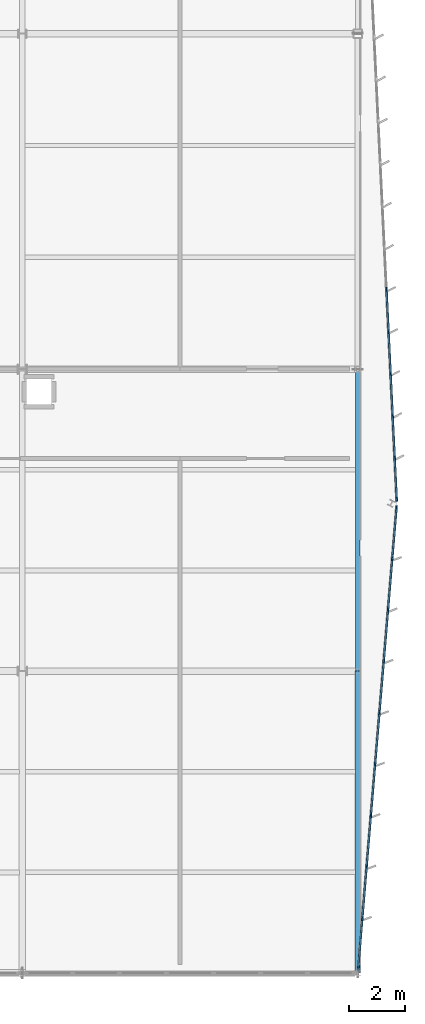
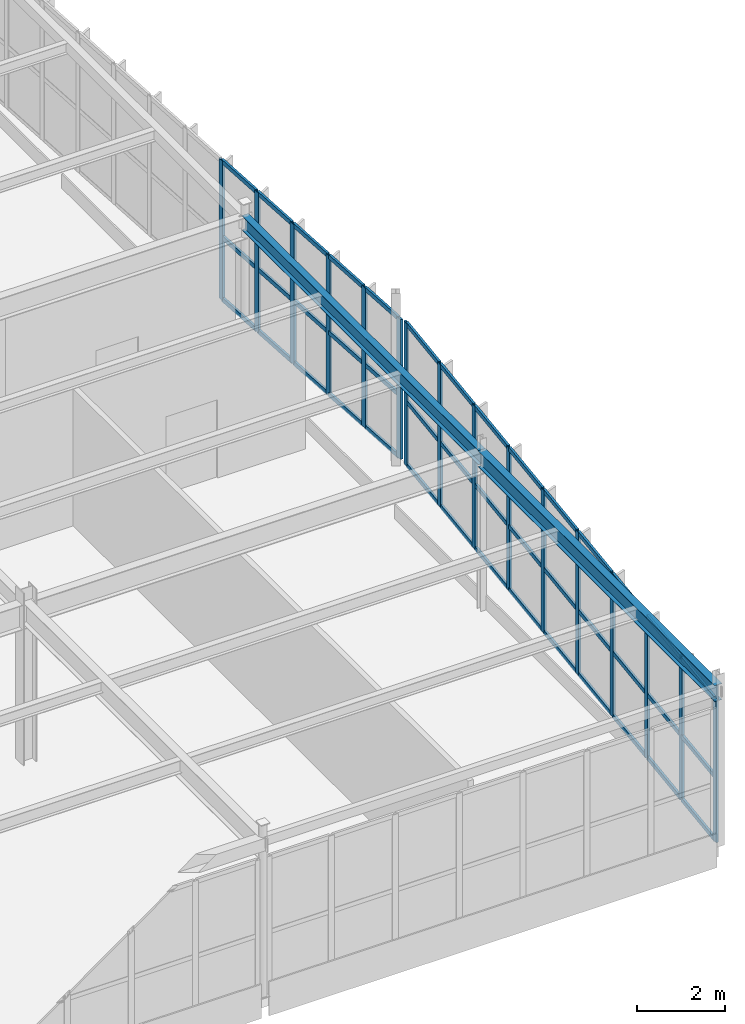
# One storey, part 118 of 226: 58 members, 2 beams, 2 elements without a shape of their own.
"""IFC4 building model written with IfcOpenShell, lengths in metres."""

from ifc_helpers import new_model, si_unit, direction, frame, origin, origin_2d, place, context, subcontext, project, spatial, rectangle, i_section, extrude, material, layer, layer_set, material_profile, profile_set, type_object, element, aggregate, save


model = new_model("IFC4")

# Units and contexts
model_context = context("Model", 3, precision=1e-05, world=origin(), true_north=direction((0.0, 1.0)))
body_context = subcontext(model_context, "Body", "Model", "MODEL_VIEW")
ifc_project = project(units=[si_unit("LENGTHUNIT", "METRE"), si_unit("AREAUNIT", "SQUARE_METRE"), si_unit("VOLUMEUNIT", "CUBIC_METRE"), si_unit("PLANEANGLEUNIT", "RADIAN"), si_unit("MASSUNIT", "GRAM", prefix="KILO")], contexts=[model_context])

# Site, building, storey
site_placement = place(None, origin())
site = spatial("IfcSite", under=ifc_project, at=site_placement, CompositionType="ELEMENT")
building_placement = place(site_placement, origin())
building = spatial("IfcBuilding", under=site, at=building_placement, Name="Tarnwether General Hospital", CompositionType="ELEMENT")
storey_placement = place(building_placement, frame((0.0, 0.0, 4.800048828125)))
storey = spatial("IfcBuildingStorey", under=building, at=storey_placement, Name="L01", CompositionType="ELEMENT", Elevation=4.800048828125)

# Beams
ifc_material_1 = material(Name="Steel Grade 350 (350 MPa)", Category="steel")
ifc_material_profile_1 = material_profile(ifc_material_1, i_section(OverallWidth=0.18994140625, OverallDepth=0.4541015625, WebThickness=0.008544921875, FlangeThickness=0.0126953125, at=origin_2d()), Name="460UB67.1")
ifc_profile_set_1 = profile_set([ifc_material_profile_1], Name="Steel Grade 350 (350 MPa)")
beam_type_1 = type_object("IfcBeamType", Name="BM-SP1", PredefinedType="SPANDREL", material=ifc_profile_set_1)
beam_1_placement = place(storey_placement, frame((192.0, 0.0, 4.218017578125), z_axis=(0.0, 1.0, 0.0), x_axis=(-1.0, 0.0, 0.0)))
element("IfcBeam", 1, at=beam_1_placement, inside=storey, type_object=beam_type_1, Name="Primary Girder BMG-L01-19200_0-19200_1080-1283", PredefinedType="SPANDREL", context=body_context, shape_type="SweptSolid", body=[
    extrude(i_section(OverallWidth=0.18994140625, OverallDepth=0.4541015625, WebThickness=0.008544921875, FlangeThickness=0.0126953125, at=origin_2d()), origin(), (0.0, 0.0, 1.0), 10.800048828125),
])
ifc_material_2 = material(Name="Steel Grade 350 (350 MPa)", Category="steel")
ifc_material_profile_2 = material_profile(ifc_material_2, i_section(OverallWidth=0.177978515625, OverallDepth=0.403076171875, WebThickness=0.007568359375, FlangeThickness=0.010986328125, at=origin_2d()), Name="410UB53.7")
ifc_profile_set_2 = profile_set([ifc_material_profile_2], Name="Steel Grade 350 (350 MPa)")
beam_type_2 = type_object("IfcBeamType", Name="BM-SP2", PredefinedType="SPANDREL", material=ifc_profile_set_2)
beam_2_placement = place(storey_placement, frame((192.0, 10.800048828125, 4.243408203125), z_axis=(0.0, 1.0, 0.0), x_axis=(-1.0, 0.0, 0.0)))
element("IfcBeam", 2, at=beam_2_placement, inside=storey, type_object=beam_type_2, Name="Primary Girder BMG-L01-19200_1080-19200_2160-1284", PredefinedType="SPANDREL", context=body_context, shape_type="SweptSolid", body=[
    extrude(i_section(OverallWidth=0.177978515625, OverallDepth=0.403076171875, WebThickness=0.007568359375, FlangeThickness=0.010986328125, at=origin_2d()), origin(), (0.0, 0.0, 1.0), 10.800048828125),
])

# Curtain wall, members
ifc_material_3 = material(Name="Anodised aluminium", Category="aluminium")
ifc_layer_1 = layer(ifc_material_3, 0.159912109375)
ifc_layer_set_1 = layer_set([ifc_layer_1], Name="Anodised aluminium")
curtain_wall_type_1 = type_object("IfcCurtainWallType", Name="CW-18", PredefinedType="NOTDEFINED", material=ifc_layer_set_1)
curtain_wall_1_placement = place(storey_placement, origin())
curtain_wall_1 = element("IfcCurtainWall", 3, at=curtain_wall_1_placement, inside=storey, type_object=curtain_wall_type_1, Name="Curtain Wall CWG-L01-1920_455-0387", PredefinedType="NOTDEFINED")
ifc_material_4 = material(Name="Anodised aluminium", Category="aluminium")
ifc_material_profile_3 = material_profile(ifc_material_4, rectangle(XDim=0.06005859375, YDim=0.159912109375, at=origin_2d()), Name="ALU-MUL-60x160")
ifc_profile_set_3 = profile_set([ifc_material_profile_3], Name="Anodised aluminium")
member_type_1 = type_object("IfcMemberType", Name="CW-ML1", PredefinedType="MULLION", material=ifc_profile_set_3)
member_1_placement = place(storey_placement, frame((193.0283203125, 24.4462890625, 0.0), z_axis=(0.0, 0.0, 1.0), x_axis=(0.998819804774, 0.04856951298, 0.0)))
member_1 = element("IfcMember", 4, at=member_1_placement, type_object=member_type_1, Name="CW-18 mullion 15", PredefinedType="MULLION", context=body_context, shape_type="SweptSolid", body=[
    extrude(rectangle(XDim=0.06005859375, YDim=0.159912109375, at=origin_2d()), origin(), (0.0, 0.0, 1.0), 3.89697265625),
])
member_2_placement = place(storey_placement, frame((193.101318359375, 22.94189453125, 0.0), z_axis=(0.0, 0.0, 1.0), x_axis=(0.998819804774, 0.04856951298, 0.0)))
member_2 = element("IfcMember", 5, at=member_2_placement, type_object=member_type_1, Name="CW-18 mullion 16", PredefinedType="MULLION", context=body_context, shape_type="SweptSolid", body=[
    extrude(rectangle(XDim=0.06005859375, YDim=0.159912109375, at=origin_2d()), origin(), (0.0, 0.0, 1.0), 3.89697265625),
])
member_3_placement = place(storey_placement, frame((193.174560546875, 21.4375, 0.0), z_axis=(0.0, 0.0, 1.0), x_axis=(0.998819804774, 0.04856951298, 0.0)))
member_3 = element("IfcMember", 6, at=member_3_placement, type_object=member_type_1, Name="CW-18 mullion 17", PredefinedType="MULLION", context=body_context, shape_type="SweptSolid", body=[
    extrude(rectangle(XDim=0.06005859375, YDim=0.159912109375, at=origin_2d()), origin(), (0.0, 0.0, 1.0), 3.89697265625),
])
member_4_placement = place(storey_placement, frame((193.247802734375, 19.932861328125, 0.0), z_axis=(0.0, 0.0, 1.0), x_axis=(0.998819804774, 0.04856951298, 0.0)))
member_4 = element("IfcMember", 7, at=member_4_placement, type_object=member_type_1, Name="CW-18 mullion 18", PredefinedType="MULLION", context=body_context, shape_type="SweptSolid", body=[
    extrude(rectangle(XDim=0.06005859375, YDim=0.159912109375, at=origin_2d()), origin(), (0.0, 0.0, 1.0), 3.89697265625),
])
member_5_placement = place(storey_placement, frame((193.32080078125, 18.428466796875, 0.0), z_axis=(0.0, 0.0, 1.0), x_axis=(0.998819804774, 0.04856951298, 0.0)))
member_5 = element("IfcMember", 8, at=member_5_placement, type_object=member_type_1, Name="CW-18 mullion 19", PredefinedType="MULLION", context=body_context, shape_type="SweptSolid", body=[
    extrude(rectangle(XDim=0.06005859375, YDim=0.159912109375, at=origin_2d()), origin(), (0.0, 0.0, 1.0), 3.89697265625),
])
member_6_placement = place(storey_placement, frame((193.392578125, 16.953857421875, 0.0), z_axis=(0.0, 0.0, 1.0), x_axis=(0.998819804774, 0.04856951298, 0.0)))
member_6 = element("IfcMember", 9, at=member_6_placement, type_object=member_type_1, Name="CW-18 mullion 20", PredefinedType="MULLION", context=body_context, shape_type="SweptSolid", body=[
    extrude(rectangle(XDim=0.06005859375, YDim=0.159912109375, at=origin_2d()), origin(), (0.0, 0.0, 1.0), 3.89697265625),
])

ifc_material_5 = material(Name="Anodised aluminium", Category="aluminium")
ifc_layer_2 = layer(ifc_material_5, 0.159912109375)
ifc_layer_set_2 = layer_set([ifc_layer_2], Name="Anodised aluminium")
curtain_wall_type_2 = type_object("IfcCurtainWallType", Name="CW-19", PredefinedType="NOTDEFINED", material=ifc_layer_set_2)
curtain_wall_2_placement = place(storey_placement, origin())
curtain_wall_2 = element("IfcCurtainWall", 10, at=curtain_wall_2_placement, inside=storey, type_object=curtain_wall_type_2, Name="Curtain Wall CWG-L01-1934_167-0388", PredefinedType="NOTDEFINED")
member_7_placement = place(storey_placement, frame((193.386474609375, 16.635986328125, 0.0), z_axis=(0.0, 0.0, 1.0), x_axis=(0.996546173528, -0.083040496309, 0.0)))
member_7 = element("IfcMember", 11, at=member_7_placement, type_object=member_type_1, Name="CW-19 mullion 1", PredefinedType="MULLION", context=body_context, shape_type="SweptSolid", body=[
    extrude(rectangle(XDim=0.06005859375, YDim=0.159912109375, at=origin_2d()), origin(), (0.0, 0.0, 1.0), 3.975830078125),
])
member_8_placement = place(storey_placement, frame((193.23583984375, 14.8271484375, 0.0), z_axis=(0.0, 0.0, 1.0), x_axis=(0.996546173528, -0.083040496309, 0.0)))
member_8 = element("IfcMember", 12, at=member_8_placement, type_object=member_type_1, Name="CW-19 mullion 2", PredefinedType="MULLION", context=body_context, shape_type="SweptSolid", body=[
    extrude(rectangle(XDim=0.06005859375, YDim=0.159912109375, at=origin_2d()), origin(), (0.0, 0.0, 1.0), 3.975830078125),
])
member_9_placement = place(storey_placement, frame((193.08251953125, 12.988525390625, 0.0), z_axis=(0.0, 0.0, 1.0), x_axis=(0.996546173528, -0.083040496309, 0.0)))
member_9 = element("IfcMember", 13, at=member_9_placement, type_object=member_type_1, Name="CW-19 mullion 3", PredefinedType="MULLION", context=body_context, shape_type="SweptSolid", body=[
    extrude(rectangle(XDim=0.06005859375, YDim=0.159912109375, at=origin_2d()), origin(), (0.0, 0.0, 1.0), 3.975830078125),
])
member_10_placement = place(storey_placement, frame((192.929443359375, 11.149658203125, 0.0), z_axis=(0.0, 0.0, 1.0), x_axis=(0.996546173528, -0.083040496309, 0.0)))
member_10 = element("IfcMember", 14, at=member_10_placement, type_object=member_type_1, Name="CW-19 mullion 4", PredefinedType="MULLION", context=body_context, shape_type="SweptSolid", body=[
    extrude(rectangle(XDim=0.06005859375, YDim=0.159912109375, at=origin_2d()), origin(), (0.0, 0.0, 1.0), 3.975830078125),
])
member_11_placement = place(storey_placement, frame((192.776123046875, 9.310791015625, 0.0), z_axis=(0.0, 0.0, 1.0), x_axis=(0.996546173528, -0.083040496309, 0.0)))
member_11 = element("IfcMember", 15, at=member_11_placement, type_object=member_type_1, Name="CW-19 mullion 5", PredefinedType="MULLION", context=body_context, shape_type="SweptSolid", body=[
    extrude(rectangle(XDim=0.06005859375, YDim=0.159912109375, at=origin_2d()), origin(), (0.0, 0.0, 1.0), 3.975830078125),
])
member_12_placement = place(storey_placement, frame((192.622802734375, 7.47216796875, 0.0), z_axis=(0.0, 0.0, 1.0), x_axis=(0.996546173528, -0.083040496309, 0.0)))
member_12 = element("IfcMember", 16, at=member_12_placement, type_object=member_type_1, Name="CW-19 mullion 6", PredefinedType="MULLION", context=body_context, shape_type="SweptSolid", body=[
    extrude(rectangle(XDim=0.06005859375, YDim=0.159912109375, at=origin_2d()), origin(), (0.0, 0.0, 1.0), 3.975830078125),
])
member_13_placement = place(storey_placement, frame((192.4697265625, 5.63330078125, 0.0), z_axis=(0.0, 0.0, 1.0), x_axis=(0.996546173528, -0.083040496309, 0.0)))
member_13 = element("IfcMember", 17, at=member_13_placement, type_object=member_type_1, Name="CW-19 mullion 7", PredefinedType="MULLION", context=body_context, shape_type="SweptSolid", body=[
    extrude(rectangle(XDim=0.06005859375, YDim=0.159912109375, at=origin_2d()), origin(), (0.0, 0.0, 1.0), 3.975830078125),
])
member_14_placement = place(storey_placement, frame((192.31640625, 3.79443359375, 0.0), z_axis=(0.0, 0.0, 1.0), x_axis=(0.996546173528, -0.083040496309, 0.0)))
member_14 = element("IfcMember", 18, at=member_14_placement, type_object=member_type_1, Name="CW-19 mullion 8", PredefinedType="MULLION", context=body_context, shape_type="SweptSolid", body=[
    extrude(rectangle(XDim=0.06005859375, YDim=0.159912109375, at=origin_2d()), origin(), (0.0, 0.0, 1.0), 3.975830078125),
])
member_15_placement = place(storey_placement, frame((192.163330078125, 1.955810546875, 0.0), z_axis=(0.0, 0.0, 1.0), x_axis=(0.996546173528, -0.083040496309, 0.0)))
member_15 = element("IfcMember", 19, at=member_15_placement, type_object=member_type_1, Name="CW-19 mullion 9", PredefinedType="MULLION", context=body_context, shape_type="SweptSolid", body=[
    extrude(rectangle(XDim=0.06005859375, YDim=0.159912109375, at=origin_2d()), origin(), (0.0, 0.0, 1.0), 3.975830078125),
])
member_16_placement = place(storey_placement, frame((192.012451171875, 0.14697265625, 0.0), z_axis=(0.0, 0.0, 1.0), x_axis=(0.996546173528, -0.083040496309, 0.0)))
member_16 = element("IfcMember", 20, at=member_16_placement, type_object=member_type_1, Name="CW-19 mullion 10", PredefinedType="MULLION", context=body_context, shape_type="SweptSolid", body=[
    extrude(rectangle(XDim=0.06005859375, YDim=0.159912109375, at=origin_2d()), origin(), (0.0, 0.0, 1.0), 3.975830078125),
])

# Member
ifc_material_6 = material(Name="Anodised aluminium", Category="aluminium")
ifc_material_profile_4 = material_profile(ifc_material_6, rectangle(XDim=0.06005859375, YDim=0.1201171875, at=origin_2d()), Name="ALU-TRN-60x120")
ifc_profile_set_4 = profile_set([ifc_material_profile_4], Name="Anodised aluminium")
member_type_2 = type_object("IfcMemberType", Name="CW-TR1", PredefinedType="USERDEFINED", material=ifc_profile_set_4)
member_17_placement = place(storey_placement, frame((193.02978515625, 24.41650390625, 0.030029296875), z_axis=(0.048447352827, -0.998825737556, 0.0), x_axis=(0.998825737556, 0.048447352827, 0.0)))
member_17 = element("IfcMember", 21, at=member_17_placement, type_object=member_type_2, Name="CW-18 transom 15.1", ObjectType="TRANSOM", PredefinedType="USERDEFINED", context=body_context, shape_type="SweptSolid", body=[
    extrude(rectangle(XDim=0.06005859375, YDim=0.1201171875, at=origin_2d()), origin(), (0.0, 0.0, 1.0), 1.4462890625),
])

member_18_placement = place(storey_placement, frame((193.02978515625, 24.41650390625, 1.753662109375), z_axis=(0.048447352827, -0.998825737556, 0.0), x_axis=(0.998825737556, 0.048447352827, 0.0)))
member_18 = element("IfcMember", 22, at=member_18_placement, type_object=member_type_2, Name="CW-18 transom 15.2", ObjectType="TRANSOM", PredefinedType="USERDEFINED", context=body_context, shape_type="SweptSolid", body=[
    extrude(rectangle(XDim=0.06005859375, YDim=0.1201171875, at=origin_2d()), origin(), (0.0, 0.0, 1.0), 1.4462890625),
])

member_19_placement = place(storey_placement, frame((193.02978515625, 24.41650390625, 3.866943359375), z_axis=(0.048447352827, -0.998825737556, 0.0), x_axis=(0.998825737556, 0.048447352827, 0.0)))
member_19 = element("IfcMember", 23, at=member_19_placement, type_object=member_type_2, Name="CW-18 transom 15.3", ObjectType="TRANSOM", PredefinedType="USERDEFINED", context=body_context, shape_type="SweptSolid", body=[
    extrude(rectangle(XDim=0.06005859375, YDim=0.1201171875, at=origin_2d()), origin(), (0.0, 0.0, 1.0), 1.4462890625),
])

member_20_placement = place(storey_placement, frame((193.102783203125, 22.911865234375, 0.030029296875), z_axis=(0.048615760654, -0.99881755482, 0.0), x_axis=(0.99881755482, 0.048615760654, 0.0)))
member_20 = element("IfcMember", 24, at=member_20_placement, type_object=member_type_2, Name="CW-18 transom 16.1", ObjectType="TRANSOM", PredefinedType="USERDEFINED", context=body_context, shape_type="SweptSolid", body=[
    extrude(rectangle(XDim=0.06005859375, YDim=0.1201171875, at=origin_2d()), origin(), (0.0, 0.0, 1.0), 1.4462890625),
])

member_21_placement = place(storey_placement, frame((193.102783203125, 22.911865234375, 1.753662109375), z_axis=(0.048615760654, -0.99881755482, 0.0), x_axis=(0.99881755482, 0.048615760654, 0.0)))
member_21 = element("IfcMember", 25, at=member_21_placement, type_object=member_type_2, Name="CW-18 transom 16.2", ObjectType="TRANSOM", PredefinedType="USERDEFINED", context=body_context, shape_type="SweptSolid", body=[
    extrude(rectangle(XDim=0.06005859375, YDim=0.1201171875, at=origin_2d()), origin(), (0.0, 0.0, 1.0), 1.4462890625),
])

member_22_placement = place(storey_placement, frame((193.102783203125, 22.911865234375, 3.866943359375), z_axis=(0.048615760654, -0.99881755482, 0.0), x_axis=(0.99881755482, 0.048615760654, 0.0)))
member_22 = element("IfcMember", 26, at=member_22_placement, type_object=member_type_2, Name="CW-18 transom 16.3", ObjectType="TRANSOM", PredefinedType="USERDEFINED", context=body_context, shape_type="SweptSolid", body=[
    extrude(rectangle(XDim=0.06005859375, YDim=0.1201171875, at=origin_2d()), origin(), (0.0, 0.0, 1.0), 1.4462890625),
])

member_23_placement = place(storey_placement, frame((193.176025390625, 21.407470703125, 0.030029296875), z_axis=(0.048615760654, -0.99881755482, 0.0), x_axis=(0.99881755482, 0.048615760654, 0.0)))
member_23 = element("IfcMember", 27, at=member_23_placement, type_object=member_type_2, Name="CW-18 transom 17.1", ObjectType="TRANSOM", PredefinedType="USERDEFINED", context=body_context, shape_type="SweptSolid", body=[
    extrude(rectangle(XDim=0.06005859375, YDim=0.1201171875, at=origin_2d()), origin(), (0.0, 0.0, 1.0), 1.4462890625),
])

member_24_placement = place(storey_placement, frame((193.176025390625, 21.407470703125, 1.753662109375), z_axis=(0.048615760654, -0.99881755482, 0.0), x_axis=(0.99881755482, 0.048615760654, 0.0)))
member_24 = element("IfcMember", 28, at=member_24_placement, type_object=member_type_2, Name="CW-18 transom 17.2", ObjectType="TRANSOM", PredefinedType="USERDEFINED", context=body_context, shape_type="SweptSolid", body=[
    extrude(rectangle(XDim=0.06005859375, YDim=0.1201171875, at=origin_2d()), origin(), (0.0, 0.0, 1.0), 1.4462890625),
])

member_25_placement = place(storey_placement, frame((193.176025390625, 21.407470703125, 3.866943359375), z_axis=(0.048615760654, -0.99881755482, 0.0), x_axis=(0.99881755482, 0.048615760654, 0.0)))
member_25 = element("IfcMember", 29, at=member_25_placement, type_object=member_type_2, Name="CW-18 transom 17.3", ObjectType="TRANSOM", PredefinedType="USERDEFINED", context=body_context, shape_type="SweptSolid", body=[
    extrude(rectangle(XDim=0.06005859375, YDim=0.1201171875, at=origin_2d()), origin(), (0.0, 0.0, 1.0), 1.4462890625),
])

member_26_placement = place(storey_placement, frame((193.2490234375, 19.903076171875, 0.030029296875), z_axis=(0.048615760654, -0.99881755482, 0.0), x_axis=(0.99881755482, 0.048615760654, 0.0)))
member_26 = element("IfcMember", 30, at=member_26_placement, type_object=member_type_2, Name="CW-18 transom 18.1", ObjectType="TRANSOM", PredefinedType="USERDEFINED", context=body_context, shape_type="SweptSolid", body=[
    extrude(rectangle(XDim=0.06005859375, YDim=0.1201171875, at=origin_2d()), origin(), (0.0, 0.0, 1.0), 1.4462890625),
])

member_27_placement = place(storey_placement, frame((193.2490234375, 19.903076171875, 1.753662109375), z_axis=(0.048615760654, -0.99881755482, 0.0), x_axis=(0.99881755482, 0.048615760654, 0.0)))
member_27 = element("IfcMember", 31, at=member_27_placement, type_object=member_type_2, Name="CW-18 transom 18.2", ObjectType="TRANSOM", PredefinedType="USERDEFINED", context=body_context, shape_type="SweptSolid", body=[
    extrude(rectangle(XDim=0.06005859375, YDim=0.1201171875, at=origin_2d()), origin(), (0.0, 0.0, 1.0), 1.4462890625),
])

member_28_placement = place(storey_placement, frame((193.2490234375, 19.903076171875, 3.866943359375), z_axis=(0.048615760654, -0.99881755482, 0.0), x_axis=(0.99881755482, 0.048615760654, 0.0)))
member_28 = element("IfcMember", 32, at=member_28_placement, type_object=member_type_2, Name="CW-18 transom 18.3", ObjectType="TRANSOM", PredefinedType="USERDEFINED", context=body_context, shape_type="SweptSolid", body=[
    extrude(rectangle(XDim=0.06005859375, YDim=0.1201171875, at=origin_2d()), origin(), (0.0, 0.0, 1.0), 1.4462890625),
])

member_29_placement = place(storey_placement, frame((193.322265625, 18.3984375, 0.030029296875), z_axis=(0.048613493541, -0.998817665165, 0.0), x_axis=(0.998817665165, 0.048613493541, 0.0)))
member_29 = element("IfcMember", 33, at=member_29_placement, type_object=member_type_2, Name="CW-18 transom 19.1", ObjectType="TRANSOM", PredefinedType="USERDEFINED", context=body_context, shape_type="SweptSolid", body=[
    extrude(rectangle(XDim=0.06005859375, YDim=0.1201171875, at=origin_2d()), origin(), (0.0, 0.0, 1.0), 1.416259765625),
])

member_30_placement = place(storey_placement, frame((193.322265625, 18.3984375, 1.753662109375), z_axis=(0.048613493541, -0.998817665165, 0.0), x_axis=(0.998817665165, 0.048613493541, 0.0)))
member_30 = element("IfcMember", 34, at=member_30_placement, type_object=member_type_2, Name="CW-18 transom 19.2", ObjectType="TRANSOM", PredefinedType="USERDEFINED", context=body_context, shape_type="SweptSolid", body=[
    extrude(rectangle(XDim=0.06005859375, YDim=0.1201171875, at=origin_2d()), origin(), (0.0, 0.0, 1.0), 1.416259765625),
])

member_31_placement = place(storey_placement, frame((193.322265625, 18.3984375, 3.866943359375), z_axis=(0.048613493541, -0.998817665165, 0.0), x_axis=(0.998817665165, 0.048613493541, 0.0)))
member_31 = element("IfcMember", 35, at=member_31_placement, type_object=member_type_2, Name="CW-18 transom 19.3", ObjectType="TRANSOM", PredefinedType="USERDEFINED", context=body_context, shape_type="SweptSolid", body=[
    extrude(rectangle(XDim=0.06005859375, YDim=0.1201171875, at=origin_2d()), origin(), (0.0, 0.0, 1.0), 1.416259765625),
])

aggregate(curtain_wall_1, [member_1, member_2, member_3, member_4, member_5, member_6, member_17, member_18, member_19, member_20, member_21, member_22, member_23, member_24, member_25, member_26, member_27, member_28, member_29, member_30, member_31])

member_32_placement = place(storey_placement, frame((193.384033203125, 16.606201171875, 0.030029296875), z_axis=(-0.083045479854, -0.996545758245, 0.0), x_axis=(0.996545758245, -0.083045479854, 0.0)))
member_32 = element("IfcMember", 36, at=member_32_placement, type_object=member_type_2, Name="CW-19 transom 1.1", ObjectType="TRANSOM", PredefinedType="USERDEFINED", context=body_context, shape_type="SweptSolid", body=[
    extrude(rectangle(XDim=0.06005859375, YDim=0.1201171875, at=origin_2d()), origin(), (0.0, 0.0, 1.0), 1.755126953125),
])

member_33_placement = place(storey_placement, frame((193.384033203125, 16.606201171875, 1.7890625), z_axis=(-0.083045479854, -0.996545758245, 0.0), x_axis=(0.996545758245, -0.083045479854, 0.0)))
member_33 = element("IfcMember", 37, at=member_33_placement, type_object=member_type_2, Name="CW-19 transom 1.2", ObjectType="TRANSOM", PredefinedType="USERDEFINED", context=body_context, shape_type="SweptSolid", body=[
    extrude(rectangle(XDim=0.06005859375, YDim=0.1201171875, at=origin_2d()), origin(), (0.0, 0.0, 1.0), 1.755126953125),
])

member_34_placement = place(storey_placement, frame((193.384033203125, 16.606201171875, 3.946044921875), z_axis=(-0.083045479854, -0.996545758245, 0.0), x_axis=(0.996545758245, -0.083045479854, 0.0)))
member_34 = element("IfcMember", 38, at=member_34_placement, type_object=member_type_2, Name="CW-19 transom 1.3", ObjectType="TRANSOM", PredefinedType="USERDEFINED", context=body_context, shape_type="SweptSolid", body=[
    extrude(rectangle(XDim=0.06005859375, YDim=0.1201171875, at=origin_2d()), origin(), (0.0, 0.0, 1.0), 1.755126953125),
])

member_35_placement = place(storey_placement, frame((193.2333984375, 14.79736328125, 0.030029296875), z_axis=(-0.083147338682, -0.996537264767, 0.0), x_axis=(0.996537264767, -0.083147338682, 0.0)))
member_35 = element("IfcMember", 39, at=member_35_placement, type_object=member_type_2, Name="CW-19 transom 2.1", ObjectType="TRANSOM", PredefinedType="USERDEFINED", context=body_context, shape_type="SweptSolid", body=[
    extrude(rectangle(XDim=0.06005859375, YDim=0.1201171875, at=origin_2d()), origin(), (0.0, 0.0, 1.0), 1.78515625),
])

member_36_placement = place(storey_placement, frame((193.2333984375, 14.79736328125, 1.7890625), z_axis=(-0.083147338682, -0.996537264767, 0.0), x_axis=(0.996537264767, -0.083147338682, 0.0)))
member_36 = element("IfcMember", 40, at=member_36_placement, type_object=member_type_2, Name="CW-19 transom 2.2", ObjectType="TRANSOM", PredefinedType="USERDEFINED", context=body_context, shape_type="SweptSolid", body=[
    extrude(rectangle(XDim=0.06005859375, YDim=0.1201171875, at=origin_2d()), origin(), (0.0, 0.0, 1.0), 1.78515625),
])

member_37_placement = place(storey_placement, frame((193.2333984375, 14.79736328125, 3.946044921875), z_axis=(-0.083147338682, -0.996537264767, 0.0), x_axis=(0.996537264767, -0.083147338682, 0.0)))
member_37 = element("IfcMember", 41, at=member_37_placement, type_object=member_type_2, Name="CW-19 transom 2.3", ObjectType="TRANSOM", PredefinedType="USERDEFINED", context=body_context, shape_type="SweptSolid", body=[
    extrude(rectangle(XDim=0.06005859375, YDim=0.1201171875, at=origin_2d()), origin(), (0.0, 0.0, 1.0), 1.78515625),
])

member_38_placement = place(storey_placement, frame((193.080078125, 12.95849609375, 0.030029296875), z_axis=(-0.083011526332, -0.996548587123, 0.0), x_axis=(0.996548587123, -0.083011526332, 0.0)))
member_38 = element("IfcMember", 42, at=member_38_placement, type_object=member_type_2, Name="CW-19 transom 3.1", ObjectType="TRANSOM", PredefinedType="USERDEFINED", context=body_context, shape_type="SweptSolid", body=[
    extrude(rectangle(XDim=0.06005859375, YDim=0.1201171875, at=origin_2d()), origin(), (0.0, 0.0, 1.0), 1.78515625),
])

member_39_placement = place(storey_placement, frame((193.080078125, 12.95849609375, 1.7890625), z_axis=(-0.083011526332, -0.996548587123, 0.0), x_axis=(0.996548587123, -0.083011526332, 0.0)))
member_39 = element("IfcMember", 43, at=member_39_placement, type_object=member_type_2, Name="CW-19 transom 3.2", ObjectType="TRANSOM", PredefinedType="USERDEFINED", context=body_context, shape_type="SweptSolid", body=[
    extrude(rectangle(XDim=0.06005859375, YDim=0.1201171875, at=origin_2d()), origin(), (0.0, 0.0, 1.0), 1.78515625),
])

member_40_placement = place(storey_placement, frame((193.080078125, 12.95849609375, 3.946044921875), z_axis=(-0.083011526332, -0.996548587123, 0.0), x_axis=(0.996548587123, -0.083011526332, 0.0)))
member_40 = element("IfcMember", 44, at=member_40_placement, type_object=member_type_2, Name="CW-19 transom 3.3", ObjectType="TRANSOM", PredefinedType="USERDEFINED", context=body_context, shape_type="SweptSolid", body=[
    extrude(rectangle(XDim=0.06005859375, YDim=0.1201171875, at=origin_2d()), origin(), (0.0, 0.0, 1.0), 1.78515625),
])

member_41_placement = place(storey_placement, frame((192.9267578125, 11.119873046875, 0.030029296875), z_axis=(-0.083011526332, -0.996548587123, 0.0), x_axis=(0.996548587123, -0.083011526332, 0.0)))
member_41 = element("IfcMember", 45, at=member_41_placement, type_object=member_type_2, Name="CW-19 transom 4.1", ObjectType="TRANSOM", PredefinedType="USERDEFINED", context=body_context, shape_type="SweptSolid", body=[
    extrude(rectangle(XDim=0.06005859375, YDim=0.1201171875, at=origin_2d()), origin(), (0.0, 0.0, 1.0), 1.78515625),
])

member_42_placement = place(storey_placement, frame((192.9267578125, 11.119873046875, 1.7890625), z_axis=(-0.083011526332, -0.996548587123, 0.0), x_axis=(0.996548587123, -0.083011526332, 0.0)))
member_42 = element("IfcMember", 46, at=member_42_placement, type_object=member_type_2, Name="CW-19 transom 4.2", ObjectType="TRANSOM", PredefinedType="USERDEFINED", context=body_context, shape_type="SweptSolid", body=[
    extrude(rectangle(XDim=0.06005859375, YDim=0.1201171875, at=origin_2d()), origin(), (0.0, 0.0, 1.0), 1.78515625),
])

member_43_placement = place(storey_placement, frame((192.9267578125, 11.119873046875, 3.946044921875), z_axis=(-0.083011526332, -0.996548587123, 0.0), x_axis=(0.996548587123, -0.083011526332, 0.0)))
member_43 = element("IfcMember", 47, at=member_43_placement, type_object=member_type_2, Name="CW-19 transom 4.3", ObjectType="TRANSOM", PredefinedType="USERDEFINED", context=body_context, shape_type="SweptSolid", body=[
    extrude(rectangle(XDim=0.06005859375, YDim=0.1201171875, at=origin_2d()), origin(), (0.0, 0.0, 1.0), 1.78515625),
])

member_44_placement = place(storey_placement, frame((192.773681640625, 9.281005859375, 0.030029296875), z_axis=(-0.083011526332, -0.996548587123, 0.0), x_axis=(0.996548587123, -0.083011526332, 0.0)))
member_44 = element("IfcMember", 48, at=member_44_placement, type_object=member_type_2, Name="CW-19 transom 5.1", ObjectType="TRANSOM", PredefinedType="USERDEFINED", context=body_context, shape_type="SweptSolid", body=[
    extrude(rectangle(XDim=0.06005859375, YDim=0.1201171875, at=origin_2d()), origin(), (0.0, 0.0, 1.0), 1.78515625),
])

member_45_placement = place(storey_placement, frame((192.773681640625, 9.281005859375, 1.7890625), z_axis=(-0.083011526332, -0.996548587123, 0.0), x_axis=(0.996548587123, -0.083011526332, 0.0)))
member_45 = element("IfcMember", 49, at=member_45_placement, type_object=member_type_2, Name="CW-19 transom 5.2", ObjectType="TRANSOM", PredefinedType="USERDEFINED", context=body_context, shape_type="SweptSolid", body=[
    extrude(rectangle(XDim=0.06005859375, YDim=0.1201171875, at=origin_2d()), origin(), (0.0, 0.0, 1.0), 1.78515625),
])

member_46_placement = place(storey_placement, frame((192.773681640625, 9.281005859375, 3.946044921875), z_axis=(-0.083011526332, -0.996548587123, 0.0), x_axis=(0.996548587123, -0.083011526332, 0.0)))
member_46 = element("IfcMember", 50, at=member_46_placement, type_object=member_type_2, Name="CW-19 transom 5.3", ObjectType="TRANSOM", PredefinedType="USERDEFINED", context=body_context, shape_type="SweptSolid", body=[
    extrude(rectangle(XDim=0.06005859375, YDim=0.1201171875, at=origin_2d()), origin(), (0.0, 0.0, 1.0), 1.78515625),
])

member_47_placement = place(storey_placement, frame((192.620361328125, 7.442138671875, 0.030029296875), z_axis=(-0.083022841098, -0.996547644549, 0.0), x_axis=(0.996547644549, -0.083022841098, 0.0)))
member_47 = element("IfcMember", 51, at=member_47_placement, type_object=member_type_2, Name="CW-19 transom 6.1", ObjectType="TRANSOM", PredefinedType="USERDEFINED", context=body_context, shape_type="SweptSolid", body=[
    extrude(rectangle(XDim=0.06005859375, YDim=0.1201171875, at=origin_2d()), origin(), (0.0, 0.0, 1.0), 1.784912109375),
])

member_48_placement = place(storey_placement, frame((192.620361328125, 7.442138671875, 1.7890625), z_axis=(-0.083022841098, -0.996547644549, 0.0), x_axis=(0.996547644549, -0.083022841098, 0.0)))
member_48 = element("IfcMember", 52, at=member_48_placement, type_object=member_type_2, Name="CW-19 transom 6.2", ObjectType="TRANSOM", PredefinedType="USERDEFINED", context=body_context, shape_type="SweptSolid", body=[
    extrude(rectangle(XDim=0.06005859375, YDim=0.1201171875, at=origin_2d()), origin(), (0.0, 0.0, 1.0), 1.784912109375),
])

member_49_placement = place(storey_placement, frame((192.620361328125, 7.442138671875, 3.946044921875), z_axis=(-0.083022841098, -0.996547644549, 0.0), x_axis=(0.996547644549, -0.083022841098, 0.0)))
member_49 = element("IfcMember", 53, at=member_49_placement, type_object=member_type_2, Name="CW-19 transom 6.3", ObjectType="TRANSOM", PredefinedType="USERDEFINED", context=body_context, shape_type="SweptSolid", body=[
    extrude(rectangle(XDim=0.06005859375, YDim=0.1201171875, at=origin_2d()), origin(), (0.0, 0.0, 1.0), 1.784912109375),
])

member_50_placement = place(storey_placement, frame((192.46728515625, 5.603515625, 0.030029296875), z_axis=(-0.083147338682, -0.996537264767, 0.0), x_axis=(0.996537264767, -0.083147338682, 0.0)))
member_50 = element("IfcMember", 54, at=member_50_placement, type_object=member_type_2, Name="CW-19 transom 7.1", ObjectType="TRANSOM", PredefinedType="USERDEFINED", context=body_context, shape_type="SweptSolid", body=[
    extrude(rectangle(XDim=0.06005859375, YDim=0.1201171875, at=origin_2d()), origin(), (0.0, 0.0, 1.0), 1.78515625),
])

member_51_placement = place(storey_placement, frame((192.46728515625, 5.603515625, 1.7890625), z_axis=(-0.083147338682, -0.996537264767, 0.0), x_axis=(0.996537264767, -0.083147338682, 0.0)))
member_51 = element("IfcMember", 55, at=member_51_placement, type_object=member_type_2, Name="CW-19 transom 7.2", ObjectType="TRANSOM", PredefinedType="USERDEFINED", context=body_context, shape_type="SweptSolid", body=[
    extrude(rectangle(XDim=0.06005859375, YDim=0.1201171875, at=origin_2d()), origin(), (0.0, 0.0, 1.0), 1.78515625),
])

member_52_placement = place(storey_placement, frame((192.46728515625, 5.603515625, 3.946044921875), z_axis=(-0.083147338682, -0.996537264767, 0.0), x_axis=(0.996537264767, -0.083147338682, 0.0)))
member_52 = element("IfcMember", 56, at=member_52_placement, type_object=member_type_2, Name="CW-19 transom 7.3", ObjectType="TRANSOM", PredefinedType="USERDEFINED", context=body_context, shape_type="SweptSolid", body=[
    extrude(rectangle(XDim=0.06005859375, YDim=0.1201171875, at=origin_2d()), origin(), (0.0, 0.0, 1.0), 1.78515625),
])

member_53_placement = place(storey_placement, frame((192.31396484375, 3.7646484375, 0.030029296875), z_axis=(-0.083011526332, -0.996548587123, 0.0), x_axis=(0.996548587123, -0.083011526332, 0.0)))
member_53 = element("IfcMember", 57, at=member_53_placement, type_object=member_type_2, Name="CW-19 transom 8.1", ObjectType="TRANSOM", PredefinedType="USERDEFINED", context=body_context, shape_type="SweptSolid", body=[
    extrude(rectangle(XDim=0.06005859375, YDim=0.1201171875, at=origin_2d()), origin(), (0.0, 0.0, 1.0), 1.78515625),
])

member_54_placement = place(storey_placement, frame((192.31396484375, 3.7646484375, 1.7890625), z_axis=(-0.083011526332, -0.996548587123, 0.0), x_axis=(0.996548587123, -0.083011526332, 0.0)))
member_54 = element("IfcMember", 58, at=member_54_placement, type_object=member_type_2, Name="CW-19 transom 8.2", ObjectType="TRANSOM", PredefinedType="USERDEFINED", context=body_context, shape_type="SweptSolid", body=[
    extrude(rectangle(XDim=0.06005859375, YDim=0.1201171875, at=origin_2d()), origin(), (0.0, 0.0, 1.0), 1.78515625),
])

member_55_placement = place(storey_placement, frame((192.31396484375, 3.7646484375, 3.946044921875), z_axis=(-0.083011526332, -0.996548587123, 0.0), x_axis=(0.996548587123, -0.083011526332, 0.0)))
member_55 = element("IfcMember", 59, at=member_55_placement, type_object=member_type_2, Name="CW-19 transom 8.3", ObjectType="TRANSOM", PredefinedType="USERDEFINED", context=body_context, shape_type="SweptSolid", body=[
    extrude(rectangle(XDim=0.06005859375, YDim=0.1201171875, at=origin_2d()), origin(), (0.0, 0.0, 1.0), 1.78515625),
])

member_56_placement = place(storey_placement, frame((192.16064453125, 1.92578125, 0.030029296875), z_axis=(-0.083045479854, -0.996545758245, 0.0), x_axis=(0.996545758245, -0.083045479854, 0.0)))
member_56 = element("IfcMember", 60, at=member_56_placement, type_object=member_type_2, Name="CW-19 transom 9.1", ObjectType="TRANSOM", PredefinedType="USERDEFINED", context=body_context, shape_type="SweptSolid", body=[
    extrude(rectangle(XDim=0.06005859375, YDim=0.1201171875, at=origin_2d()), origin(), (0.0, 0.0, 1.0), 1.755126953125),
])

member_57_placement = place(storey_placement, frame((192.16064453125, 1.92578125, 1.7890625), z_axis=(-0.083045479854, -0.996545758245, 0.0), x_axis=(0.996545758245, -0.083045479854, 0.0)))
member_57 = element("IfcMember", 61, at=member_57_placement, type_object=member_type_2, Name="CW-19 transom 9.2", ObjectType="TRANSOM", PredefinedType="USERDEFINED", context=body_context, shape_type="SweptSolid", body=[
    extrude(rectangle(XDim=0.06005859375, YDim=0.1201171875, at=origin_2d()), origin(), (0.0, 0.0, 1.0), 1.755126953125),
])

member_58_placement = place(storey_placement, frame((192.16064453125, 1.92578125, 3.946044921875), z_axis=(-0.083045479854, -0.996545758245, 0.0), x_axis=(0.996545758245, -0.083045479854, 0.0)))
member_58 = element("IfcMember", 62, at=member_58_placement, type_object=member_type_2, Name="CW-19 transom 9.3", ObjectType="TRANSOM", PredefinedType="USERDEFINED", context=body_context, shape_type="SweptSolid", body=[
    extrude(rectangle(XDim=0.06005859375, YDim=0.1201171875, at=origin_2d()), origin(), (0.0, 0.0, 1.0), 1.755126953125),
])

aggregate(curtain_wall_2, [member_7, member_8, member_9, member_10, member_11, member_12, member_13, member_14, member_15, member_16, member_32, member_33, member_34, member_35, member_36, member_37, member_38, member_39, member_40, member_41, member_42, member_43, member_44, member_45, member_46, member_47, member_48, member_49, member_50, member_51, member_52, member_53, member_54, member_55, member_56, member_57, member_58])

save(model, "model.ifc")
